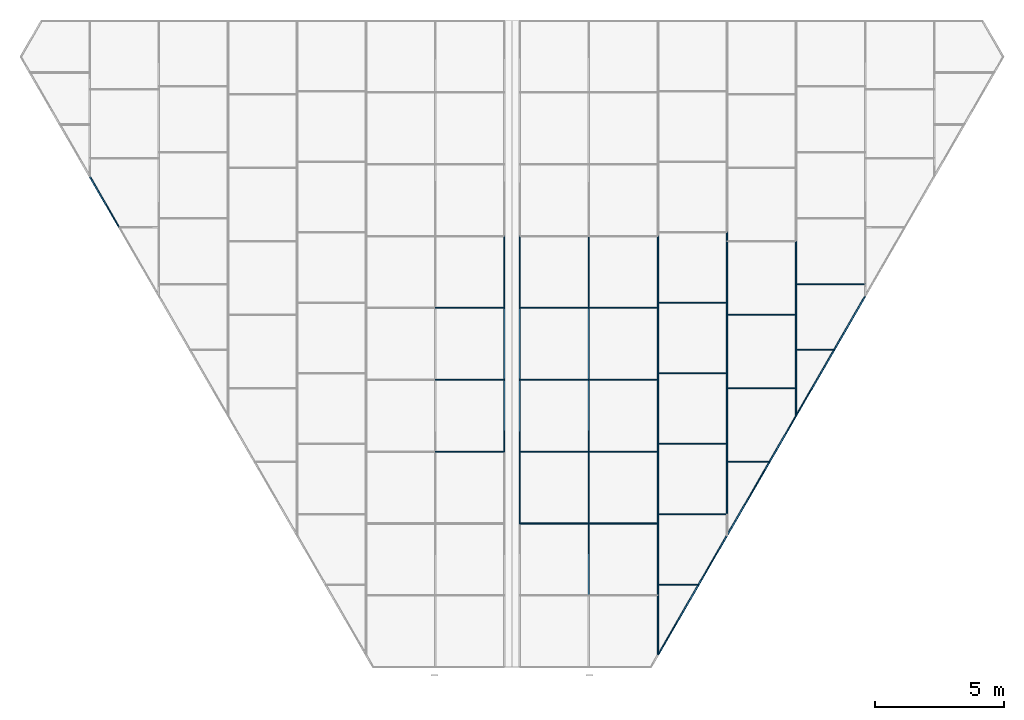
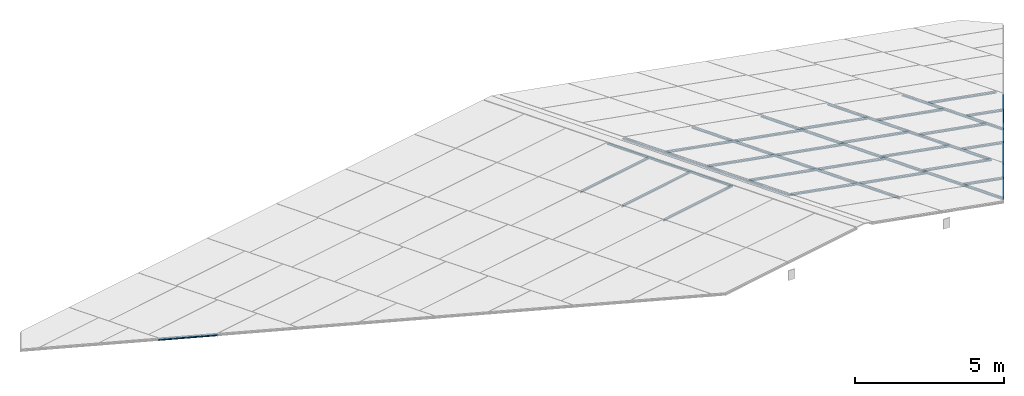
# One storey, part 2 of 12: 53 members, 28 elements without a shape of their own.
"""IFC4 building model written with IfcOpenShell, lengths in metres."""

from ifc_helpers import new_model, si_unit, direction, frame, origin, origin_2d, place, context, subcontext, project, spatial, rectangle, extrude, material, material_profile, profile_set, type_object, element, aggregate, save


model = new_model("IFC4")

# Units and contexts
model_context = context("Model", 3, precision=1e-05, world=origin(), true_north=direction((0.0, 1.0)))
body_context = subcontext(model_context, "Body", "Model", "MODEL_VIEW")
ifc_project = project(units=[si_unit("LENGTHUNIT", "METRE"), si_unit("AREAUNIT", "SQUARE_METRE"), si_unit("VOLUMEUNIT", "CUBIC_METRE"), si_unit("PLANEANGLEUNIT", "RADIAN"), si_unit("MASSUNIT", "GRAM", prefix="KILO")], contexts=[model_context])

# Site, building, storey
site_placement = place(None, origin())
site = spatial("IfcSite", under=ifc_project, at=site_placement, CompositionType="ELEMENT")
building_placement = place(site_placement, origin())
building = spatial("IfcBuilding", under=site, at=building_placement, Name="Aloe Facet Convention Tower", CompositionType="ELEMENT")
storey_placement = place(building_placement, frame((0.0, 0.0, 306.5)))
storey = spatial("IfcBuildingStorey", under=building, at=storey_placement, Name="C6", CompositionType="ELEMENT", Elevation=306.5)

# Curtain wall, member
ifc_material_1 = material(Name="Aluminium, anodised", Category="aluminium")
curtain_wall_type = type_object("IfcCurtainWallType", Name="EV-CW-LANTERN", PredefinedType="USERDEFINED", material=ifc_material_1)
curtain_wall_1_placement = place(storey_placement, origin())
curtain_wall_1 = element("IfcCurtainWall", 1, at=curtain_wall_1_placement, inside=storey, type_object=curtain_wall_type, Name="CW-RW04", ObjectType="ROOF LANTERN GLAZING", PredefinedType="USERDEFINED")
ifc_material_2 = material(Name="Aluminium, anodised", Category="aluminium")
ifc_material_profile_1 = material_profile(ifc_material_2, rectangle(XDim=0.050048828125, YDim=0.0400390625, at=origin_2d()), Name="AL 50x40")
ifc_profile_set_1 = profile_set([ifc_material_profile_1], Name="Aluminium, anodised")
member_type_1 = type_object("IfcMemberType", Name="EV-MULL-LANTERN", PredefinedType="MULLION", material=ifc_profile_set_1)
member_1_placement = place(storey_placement, frame((79.699951171875, 120.600341796875, -3.359130859375), z_axis=(0.0, -0.929144839545, 0.369715927635), x_axis=(1.0, 0.0, 0.0)))
member_1 = element("IfcMember", 2, at=member_1_placement, type_object=member_type_1, Name="Glazing bar W04.3", PredefinedType="MULLION", context=body_context, shape_type="SweptSolid", body=[
    extrude(rectangle(XDim=0.050048828125, YDim=0.0400390625, at=origin_2d()), origin(), (0.0, 0.0, 1.0), 2.991943359375),
])

curtain_wall_2_placement = place(storey_placement, origin())
curtain_wall_2 = element("IfcCurtainWall", 3, at=curtain_wall_2_placement, inside=storey, type_object=curtain_wall_type, Name="CW-RW05", ObjectType="ROOF LANTERN GLAZING", PredefinedType="USERDEFINED")
member_2_placement = place(storey_placement, frame((79.699951171875, 123.380126953125, -4.465576171875), z_axis=(0.0, -0.92910564889, 0.369814403721), x_axis=(1.0, 0.0, 0.0)))
member_2 = element("IfcMember", 4, at=member_2_placement, type_object=member_type_1, Name="Glazing bar W05.3", PredefinedType="MULLION", context=body_context, shape_type="SweptSolid", body=[
    extrude(rectangle(XDim=0.050048828125, YDim=0.0400390625, at=origin_2d()), origin(), (0.0, 0.0, 1.0), 2.991943359375),
])

curtain_wall_3_placement = place(storey_placement, origin())
curtain_wall_3 = element("IfcCurtainWall", 5, at=curtain_wall_3_placement, inside=storey, type_object=curtain_wall_type, Name="CW-RW06", ObjectType="ROOF LANTERN GLAZING", PredefinedType="USERDEFINED")
member_3_placement = place(storey_placement, frame((79.699951171875, 126.16015625, -5.57177734375), z_axis=(0.0, -0.929144839545, 0.369715927635), x_axis=(1.0, 0.0, 0.0)))
member_3 = element("IfcMember", 6, at=member_3_placement, type_object=member_type_1, Name="Glazing bar W06.3", PredefinedType="MULLION", context=body_context, shape_type="SweptSolid", body=[
    extrude(rectangle(XDim=0.050048828125, YDim=0.0400390625, at=origin_2d()), origin(), (0.0, 0.0, 1.0), 2.991943359375),
])
aggregate(curtain_wall_3, [member_3])

curtain_wall_4_placement = place(storey_placement, origin())
curtain_wall_4 = element("IfcCurtainWall", 7, at=curtain_wall_4_placement, inside=storey, type_object=curtain_wall_type, Name="CW-RW42", ObjectType="ROOF LANTERN GLAZING", PredefinedType="USERDEFINED")
member_4_placement = place(storey_placement, frame((64.79736328125, 126.502197265625, -8.390380859375), z_axis=(-0.458556978189, 0.794252685462, -0.398607788924), x_axis=(-0.866027775618, -0.499995891842, 0.0)))
member_4 = element("IfcMember", 8, at=member_4_placement, type_object=member_type_1, Name="Glazing bar W42.2", PredefinedType="MULLION", context=body_context, shape_type="SweptSolid", body=[
    extrude(rectangle(XDim=0.050048828125, YDim=0.0400390625, at=origin_2d()), origin(), (0.0, 0.0, 1.0), 2.471923828125),
])
aggregate(curtain_wall_4, [member_4])

curtain_wall_5_placement = place(storey_placement, origin())
curtain_wall_5 = element("IfcCurtainWall", 9, at=curtain_wall_5_placement, inside=storey, type_object=curtain_wall_type, Name="CW-RE02", ObjectType="ROOF LANTERN GLAZING", PredefinedType="USERDEFINED")
member_5_placement = place(storey_placement, frame((82.97265625, 115.04052734375, -1.627685546875), z_axis=(0.0, -0.929144839545, 0.369715927635), x_axis=(1.0, 0.0, 0.0)))
member_5 = element("IfcMember", 10, at=member_5_placement, type_object=member_type_1, Name="Glazing bar E02.3", PredefinedType="MULLION", context=body_context, shape_type="SweptSolid", body=[
    extrude(rectangle(XDim=0.050048828125, YDim=0.0400390625, at=origin_2d()), origin(), (0.0, 0.0, 1.0), 2.991943359375),
])

# Curtain wall, members
curtain_wall_6_placement = place(storey_placement, origin())
curtain_wall_6 = element("IfcCurtainWall", 11, at=curtain_wall_6_placement, inside=storey, type_object=curtain_wall_type, Name="CW-RE03", ObjectType="ROOF LANTERN GLAZING", PredefinedType="USERDEFINED")
member_6_placement = place(storey_placement, frame((80.300048828125, 115.04052734375, -1.146728515625), z_axis=(0.0, 0.929133684796, -0.369743959758), x_axis=(-1.0, 0.0, 0.0)))
member_6 = element("IfcMember", 12, at=member_6_placement, type_object=member_type_1, Name="Glazing bar E03.1", PredefinedType="MULLION", context=body_context, shape_type="SweptSolid", body=[
    extrude(rectangle(XDim=0.050048828125, YDim=0.0400390625, at=origin_2d()), origin(), (0.0, 0.0, 1.0), 2.99169921875),
])
member_7_placement = place(storey_placement, frame((82.97265625, 117.8203125, -2.734130859375), z_axis=(0.0, -0.92910564889, 0.369814403721), x_axis=(1.0, 0.0, 0.0)))
member_7 = element("IfcMember", 13, at=member_7_placement, type_object=member_type_1, Name="Glazing bar E03.3", PredefinedType="MULLION", context=body_context, shape_type="SweptSolid", body=[
    extrude(rectangle(XDim=0.050048828125, YDim=0.0400390625, at=origin_2d()), origin(), (0.0, 0.0, 1.0), 2.991943359375),
])

curtain_wall_7_placement = place(storey_placement, origin())
curtain_wall_7 = element("IfcCurtainWall", 14, at=curtain_wall_7_placement, inside=storey, type_object=curtain_wall_type, Name="CW-RE04", ObjectType="ROOF LANTERN GLAZING", PredefinedType="USERDEFINED")
member_8_placement = place(storey_placement, frame((80.300048828125, 117.8203125, -2.2529296875), z_axis=(0.0, 0.929144839545, -0.369715927635), x_axis=(-1.0, 0.0, 0.0)))
member_8 = element("IfcMember", 15, at=member_8_placement, type_object=member_type_1, Name="Glazing bar E04.1", PredefinedType="MULLION", context=body_context, shape_type="SweptSolid", body=[
    extrude(rectangle(XDim=0.050048828125, YDim=0.0400390625, at=origin_2d()), origin(), (0.0, 0.0, 1.0), 2.991943359375),
])
member_9_placement = place(storey_placement, frame((82.97265625, 120.600341796875, -3.84033203125), z_axis=(0.0, -0.929144839545, 0.369715927635), x_axis=(1.0, 0.0, 0.0)))
member_9 = element("IfcMember", 16, at=member_9_placement, type_object=member_type_1, Name="Glazing bar E04.3", PredefinedType="MULLION", context=body_context, shape_type="SweptSolid", body=[
    extrude(rectangle(XDim=0.050048828125, YDim=0.0400390625, at=origin_2d()), origin(), (0.0, 0.0, 1.0), 2.991943359375),
])

curtain_wall_8_placement = place(storey_placement, origin())
curtain_wall_8 = element("IfcCurtainWall", 17, at=curtain_wall_8_placement, inside=storey, type_object=curtain_wall_type, Name="CW-RE05", ObjectType="ROOF LANTERN GLAZING", PredefinedType="USERDEFINED")
member_10_placement = place(storey_placement, frame((80.300048828125, 120.600341796875, -3.359130859375), z_axis=(0.0, 0.92910564889, -0.369814403721), x_axis=(-1.0, 0.0, 0.0)))
member_10 = element("IfcMember", 18, at=member_10_placement, type_object=member_type_1, Name="Glazing bar E05.1", PredefinedType="MULLION", context=body_context, shape_type="SweptSolid", body=[
    extrude(rectangle(XDim=0.050048828125, YDim=0.0400390625, at=origin_2d()), origin(), (0.0, 0.0, 1.0), 2.991943359375),
])
member_11_placement = place(storey_placement, frame((82.97265625, 123.380126953125, -4.946533203125), z_axis=(0.0, -0.929133684796, 0.369743959758), x_axis=(1.0, 0.0, 0.0)))
member_11 = element("IfcMember", 19, at=member_11_placement, type_object=member_type_1, Name="Glazing bar E05.3", PredefinedType="MULLION", context=body_context, shape_type="SweptSolid", body=[
    extrude(rectangle(XDim=0.050048828125, YDim=0.0400390625, at=origin_2d()), origin(), (0.0, 0.0, 1.0), 2.99169921875),
])

curtain_wall_9_placement = place(storey_placement, origin())
curtain_wall_9 = element("IfcCurtainWall", 20, at=curtain_wall_9_placement, inside=storey, type_object=curtain_wall_type, Name="CW-RE06", ObjectType="ROOF LANTERN GLAZING", PredefinedType="USERDEFINED")
member_12_placement = place(storey_placement, frame((80.300048828125, 123.380126953125, -4.465576171875), z_axis=(0.0, 0.929144839545, -0.369715927635), x_axis=(-1.0, 0.0, 0.0)))
member_12 = element("IfcMember", 21, at=member_12_placement, type_object=member_type_1, Name="Glazing bar E06.1", PredefinedType="MULLION", context=body_context, shape_type="SweptSolid", body=[
    extrude(rectangle(XDim=0.050048828125, YDim=0.0400390625, at=origin_2d()), origin(), (0.0, 0.0, 1.0), 2.991943359375),
])
member_13_placement = place(storey_placement, frame((82.97265625, 126.16015625, -6.052734375), z_axis=(0.0, -0.929144839545, 0.369715927635), x_axis=(1.0, 0.0, 0.0)))
member_13 = element("IfcMember", 22, at=member_13_placement, type_object=member_type_1, Name="Glazing bar E06.3", PredefinedType="MULLION", context=body_context, shape_type="SweptSolid", body=[
    extrude(rectangle(XDim=0.050048828125, YDim=0.0400390625, at=origin_2d()), origin(), (0.0, 0.0, 1.0), 2.991943359375),
])
aggregate(curtain_wall_9, [member_12, member_13])

# Curtain wall, member
curtain_wall_10_placement = place(storey_placement, origin())
curtain_wall_10 = element("IfcCurtainWall", 23, at=curtain_wall_10_placement, inside=storey, type_object=curtain_wall_type, Name="CW-RE10", ObjectType="ROOF LANTERN GLAZING", PredefinedType="USERDEFINED")
member_14_placement = place(storey_placement, frame((85.645263671875, 112.260498046875, -1.002685546875), z_axis=(0.0, -0.929118101191, 0.36978311757), x_axis=(1.0, 0.0, 0.0)))
member_14 = element("IfcMember", 24, at=member_14_placement, type_object=member_type_1, Name="Glazing bar E10.4", PredefinedType="MULLION", context=body_context, shape_type="SweptSolid", body=[
    extrude(rectangle(XDim=0.050048828125, YDim=0.0400390625, at=origin_2d()), origin(), (0.0, 0.0, 1.0), 2.48828125),
])
aggregate(curtain_wall_10, [member_14])

curtain_wall_11_placement = place(storey_placement, origin())
curtain_wall_11 = element("IfcCurtainWall", 25, at=curtain_wall_11_placement, inside=storey, type_object=curtain_wall_type, Name="CW-RE11", ObjectType="ROOF LANTERN GLAZING", PredefinedType="USERDEFINED")
member_15_placement = place(storey_placement, frame((85.645263671875, 115.04052734375, -2.10888671875), z_axis=(0.0, -0.929144839545, 0.369715927635), x_axis=(1.0, 0.0, 0.0)))
member_15 = element("IfcMember", 26, at=member_15_placement, type_object=member_type_1, Name="Glazing bar E11.2", PredefinedType="MULLION", context=body_context, shape_type="SweptSolid", body=[
    extrude(rectangle(XDim=0.050048828125, YDim=0.0400390625, at=origin_2d()), origin(), (0.0, 0.0, 1.0), 2.991943359375),
])

curtain_wall_12_placement = place(storey_placement, origin())
curtain_wall_12 = element("IfcCurtainWall", 27, at=curtain_wall_12_placement, inside=storey, type_object=curtain_wall_type, Name="CW-RE12", ObjectType="ROOF LANTERN GLAZING", PredefinedType="USERDEFINED")
member_16_placement = place(storey_placement, frame((85.645263671875, 117.8203125, -3.215087890625), z_axis=(0.0, -0.929133684796, 0.369743959758), x_axis=(1.0, 0.0, 0.0)))
member_16 = element("IfcMember", 28, at=member_16_placement, type_object=member_type_1, Name="Glazing bar E12.2", PredefinedType="MULLION", context=body_context, shape_type="SweptSolid", body=[
    extrude(rectangle(XDim=0.050048828125, YDim=0.0400390625, at=origin_2d()), origin(), (0.0, 0.0, 1.0), 2.99169921875),
])

curtain_wall_13_placement = place(storey_placement, origin())
curtain_wall_13 = element("IfcCurtainWall", 29, at=curtain_wall_13_placement, inside=storey, type_object=curtain_wall_type, Name="CW-RE13", ObjectType="ROOF LANTERN GLAZING", PredefinedType="USERDEFINED")
member_17_placement = place(storey_placement, frame((85.645263671875, 120.600341796875, -4.3212890625), z_axis=(0.0, -0.929144839545, 0.369715927635), x_axis=(1.0, 0.0, 0.0)))
member_17 = element("IfcMember", 30, at=member_17_placement, type_object=member_type_1, Name="Glazing bar E13.2", PredefinedType="MULLION", context=body_context, shape_type="SweptSolid", body=[
    extrude(rectangle(XDim=0.050048828125, YDim=0.0400390625, at=origin_2d()), origin(), (0.0, 0.0, 1.0), 2.991943359375),
])

curtain_wall_14_placement = place(storey_placement, origin())
curtain_wall_14 = element("IfcCurtainWall", 31, at=curtain_wall_14_placement, inside=storey, type_object=curtain_wall_type, Name="CW-RE14", ObjectType="ROOF LANTERN GLAZING", PredefinedType="USERDEFINED")
member_18_placement = place(storey_placement, frame((85.645263671875, 123.380126953125, -5.427734375), z_axis=(0.0, -0.92910564889, 0.369814403721), x_axis=(1.0, 0.0, 0.0)))
member_18 = element("IfcMember", 32, at=member_18_placement, type_object=member_type_1, Name="Glazing bar E14.2", PredefinedType="MULLION", context=body_context, shape_type="SweptSolid", body=[
    extrude(rectangle(XDim=0.050048828125, YDim=0.0400390625, at=origin_2d()), origin(), (0.0, 0.0, 1.0), 2.991943359375),
])

curtain_wall_15_placement = place(storey_placement, origin())
curtain_wall_15 = element("IfcCurtainWall", 33, at=curtain_wall_15_placement, inside=storey, type_object=curtain_wall_type, Name="CW-RE15", ObjectType="ROOF LANTERN GLAZING", PredefinedType="USERDEFINED")
member_19_placement = place(storey_placement, frame((85.645263671875, 126.16015625, -6.533935546875), z_axis=(0.0, -0.929144839545, 0.369715927635), x_axis=(1.0, 0.0, 0.0)))
member_19 = element("IfcMember", 34, at=member_19_placement, type_object=member_type_1, Name="Glazing bar E15.2", PredefinedType="MULLION", context=body_context, shape_type="SweptSolid", body=[
    extrude(rectangle(XDim=0.050048828125, YDim=0.0400390625, at=origin_2d()), origin(), (0.0, 0.0, 1.0), 2.991943359375),
])
aggregate(curtain_wall_15, [member_19])

curtain_wall_16_placement = place(storey_placement, origin())
curtain_wall_16 = element("IfcCurtainWall", 35, at=curtain_wall_16_placement, inside=storey, type_object=curtain_wall_type, Name="CW-RE19", ObjectType="ROOF LANTERN GLAZING", PredefinedType="USERDEFINED")
member_20_placement = place(storey_placement, frame((87.220458984375, 112.676513671875, -1.45166015625), z_axis=(-0.45859751412, -0.794229482761, 0.39860738673), x_axis=(0.866002311072, -0.500039995618, 0.0)))
member_20 = element("IfcMember", 36, at=member_20_placement, type_object=member_type_1, Name="Glazing bar E19.2", PredefinedType="MULLION", context=body_context, shape_type="SweptSolid", body=[
    extrude(rectangle(XDim=0.050048828125, YDim=0.0400390625, at=origin_2d()), origin(), (0.0, 0.0, 1.0), 3.434814453125),
])

curtain_wall_17_placement = place(storey_placement, origin())
curtain_wall_17 = element("IfcCurtainWall", 37, at=curtain_wall_17_placement, inside=storey, type_object=curtain_wall_type, Name="CW-RE20", ObjectType="ROOF LANTERN GLAZING", PredefinedType="USERDEFINED")
member_21_placement = place(storey_placement, frame((88.318115234375, 114.577880859375, -2.40576171875), z_axis=(-0.458538224118, -0.794282849072, 0.398569257084), x_axis=(0.866044851585, -0.499966313909, 0.0)))
member_21 = element("IfcMember", 38, at=member_21_placement, type_object=member_type_1, Name="Glazing bar E20.1", PredefinedType="MULLION", context=body_context, shape_type="SweptSolid", body=[
    extrude(rectangle(XDim=0.050048828125, YDim=0.0400390625, at=origin_2d()), origin(), (0.0, 0.0, 1.0), 2.393798828125),
])

curtain_wall_18_placement = place(storey_placement, origin())
curtain_wall_18 = element("IfcCurtainWall", 39, at=curtain_wall_18_placement, inside=storey, type_object=curtain_wall_type, Name="CW-RE21", ObjectType="ROOF LANTERN GLAZING", PredefinedType="USERDEFINED")
member_22_placement = place(storey_placement, frame((88.318115234375, 118.13232421875, -3.8203125), z_axis=(0.0, -0.9291404768, 0.3697268916), x_axis=(1.0, 0.0, 0.0)))
member_22 = element("IfcMember", 40, at=member_22_placement, type_object=member_type_1, Name="Glazing bar E21.2", PredefinedType="MULLION", context=body_context, shape_type="SweptSolid", body=[
    extrude(rectangle(XDim=0.050048828125, YDim=0.0400390625, at=origin_2d()), origin(), (0.0, 0.0, 1.0), 2.935791015625),
])

curtain_wall_19_placement = place(storey_placement, origin())
curtain_wall_19 = element("IfcCurtainWall", 41, at=curtain_wall_19_placement, inside=storey, type_object=curtain_wall_type, Name="CW-RE22", ObjectType="ROOF LANTERN GLAZING", PredefinedType="USERDEFINED")
member_23_placement = place(storey_placement, frame((88.318115234375, 120.8603515625, -4.906005859375), z_axis=(0.0, -0.929123277764, 0.369770110633), x_axis=(1.0, 0.0, 0.0)))
member_23 = element("IfcMember", 42, at=member_23_placement, type_object=member_type_1, Name="Glazing bar E22.2", PredefinedType="MULLION", context=body_context, shape_type="SweptSolid", body=[
    extrude(rectangle(XDim=0.050048828125, YDim=0.0400390625, at=origin_2d()), origin(), (0.0, 0.0, 1.0), 2.93603515625),
])

curtain_wall_20_placement = place(storey_placement, origin())
curtain_wall_20 = element("IfcCurtainWall", 43, at=curtain_wall_20_placement, inside=storey, type_object=curtain_wall_type, Name="CW-RE23", ObjectType="ROOF LANTERN GLAZING", PredefinedType="USERDEFINED")
member_24_placement = place(storey_placement, frame((88.318115234375, 123.58837890625, -5.991455078125), z_axis=(0.0, -0.92915184321, 0.369698326017), x_axis=(1.0, 0.0, 0.0)))
member_24 = element("IfcMember", 44, at=member_24_placement, type_object=member_type_1, Name="Glazing bar E23.2", PredefinedType="MULLION", context=body_context, shape_type="SweptSolid", body=[
    extrude(rectangle(XDim=0.050048828125, YDim=0.0400390625, at=origin_2d()), origin(), (0.0, 0.0, 1.0), 2.93603515625),
])

curtain_wall_21_placement = place(storey_placement, origin())
curtain_wall_21 = element("IfcCurtainWall", 45, at=curtain_wall_21_placement, inside=storey, type_object=curtain_wall_type, Name="CW-RE24", ObjectType="ROOF LANTERN GLAZING", PredefinedType="USERDEFINED")
member_25_placement = place(storey_placement, frame((88.318115234375, 126.316162109375, -7.0771484375), z_axis=(0.0, -0.929111907289, 0.369798680006), x_axis=(1.0, 0.0, 0.0)))
member_25 = element("IfcMember", 46, at=member_25_placement, type_object=member_type_1, Name="Glazing bar E24.2", PredefinedType="MULLION", context=body_context, shape_type="SweptSolid", body=[
    extrude(rectangle(XDim=0.050048828125, YDim=0.0400390625, at=origin_2d()), origin(), (0.0, 0.0, 1.0), 2.935791015625),
])
aggregate(curtain_wall_21, [member_25])

curtain_wall_22_placement = place(storey_placement, origin())
curtain_wall_22 = element("IfcCurtainWall", 47, at=curtain_wall_22_placement, inside=storey, type_object=curtain_wall_type, Name="CW-RE28", ObjectType="ROOF LANTERN GLAZING", PredefinedType="USERDEFINED")
member_26_placement = place(storey_placement, frame((89.961181640625, 117.423828125, -3.834228515625), z_axis=(-0.458542254261, -0.794238790181, 0.398652411542), x_axis=(0.866030939752, -0.499990411301, 0.0)))
member_26 = element("IfcMember", 48, at=member_26_placement, type_object=member_type_1, Name="Glazing bar E28.2", PredefinedType="MULLION", context=body_context, shape_type="SweptSolid", body=[
    extrude(rectangle(XDim=0.050048828125, YDim=0.0400390625, at=origin_2d()), origin(), (0.0, 0.0, 1.0), 3.583251953125),
])

# Curtain wall, members
curtain_wall_23_placement = place(storey_placement, origin())
curtain_wall_23 = element("IfcCurtainWall", 49, at=curtain_wall_23_placement, inside=storey, type_object=curtain_wall_type, Name="CW-RE29", ObjectType="ROOF LANTERN GLAZING", PredefinedType="USERDEFINED")
member_27_placement = place(storey_placement, frame((90.99072265625, 119.20703125, -4.72900390625), z_axis=(-0.45857622573, -0.79427098713, 0.398549174128), x_axis=(0.866023676963, -0.50000299093, 0.0)))
member_27 = element("IfcMember", 50, at=member_27_placement, type_object=member_type_1, Name="Glazing bar E29.1", PredefinedType="MULLION", context=body_context, shape_type="SweptSolid", body=[
    extrude(rectangle(XDim=0.050048828125, YDim=0.0400390625, at=origin_2d()), origin(), (0.0, 0.0, 1.0), 2.2451171875),
])
member_28_placement = place(storey_placement, frame((90.99072265625, 120.269775390625, -5.152099609375), z_axis=(0.0, -0.929078968563, 0.369881427181), x_axis=(1.0, 0.0, 0.0)))
member_28 = element("IfcMember", 51, at=member_28_placement, type_object=member_type_1, Name="Glazing bar E29.3", PredefinedType="MULLION", context=body_context, shape_type="SweptSolid", body=[
    extrude(rectangle(XDim=0.050048828125, YDim=0.0400390625, at=origin_2d()), origin(), (0.0, 0.0, 1.0), 1.143798828125),
])

# Curtain wall, member
curtain_wall_24_placement = place(storey_placement, origin())
curtain_wall_24 = element("IfcCurtainWall", 52, at=curtain_wall_24_placement, inside=storey, type_object=curtain_wall_type, Name="CW-RE30", ObjectType="ROOF LANTERN GLAZING", PredefinedType="USERDEFINED")
member_29_placement = place(storey_placement, frame((90.99072265625, 123.115966796875, -6.28466796875), z_axis=(0.0, -0.929140283212, 0.369727378094), x_axis=(1.0, 0.0, 0.0)))
member_29 = element("IfcMember", 53, at=member_29_placement, type_object=member_type_1, Name="Glazing bar E30.2", PredefinedType="MULLION", context=body_context, shape_type="SweptSolid", body=[
    extrude(rectangle(XDim=0.050048828125, YDim=0.0400390625, at=origin_2d()), origin(), (0.0, 0.0, 1.0), 3.063232421875),
])

curtain_wall_25_placement = place(storey_placement, origin())
curtain_wall_25 = element("IfcCurtainWall", 54, at=curtain_wall_25_placement, inside=storey, type_object=curtain_wall_type, Name="CW-RE31", ObjectType="ROOF LANTERN GLAZING", PredefinedType="USERDEFINED")
member_30_placement = place(storey_placement, frame((90.99072265625, 125.9619140625, -7.417236328125), z_axis=(0.0, -0.929129387172, 0.369754759122), x_axis=(1.0, 0.0, 0.0)))
member_30 = element("IfcMember", 55, at=member_30_placement, type_object=member_type_1, Name="Glazing bar E31.2", PredefinedType="MULLION", context=body_context, shape_type="SweptSolid", body=[
    extrude(rectangle(XDim=0.050048828125, YDim=0.0400390625, at=origin_2d()), origin(), (0.0, 0.0, 1.0), 3.06298828125),
])
aggregate(curtain_wall_25, [member_30])

curtain_wall_26_placement = place(storey_placement, origin())
curtain_wall_26 = element("IfcCurtainWall", 56, at=curtain_wall_26_placement, inside=storey, type_object=curtain_wall_type, Name="CW-RE35", ObjectType="ROOF LANTERN GLAZING", PredefinedType="USERDEFINED")
member_31_placement = place(storey_placement, frame((92.46240234375, 121.755859375, -6.00830078125), z_axis=(-0.45858144123, -0.7942253229, 0.3986341659), x_axis=(0.866008766065, -0.500028816268, 0.0)))
member_31 = element("IfcMember", 57, at=member_31_placement, type_object=member_type_1, Name="Glazing bar E35.2", PredefinedType="MULLION", context=body_context, shape_type="SweptSolid", body=[
    extrude(rectangle(XDim=0.050048828125, YDim=0.0400390625, at=origin_2d()), origin(), (0.0, 0.0, 1.0), 3.209228515625),
])

curtain_wall_27_placement = place(storey_placement, origin())
curtain_wall_27 = element("IfcCurtainWall", 58, at=curtain_wall_27_placement, inside=storey, type_object=curtain_wall_type, Name="CW-RE36", ObjectType="ROOF LANTERN GLAZING", PredefinedType="USERDEFINED")
member_32_placement = place(storey_placement, frame((93.663330078125, 123.836181640625, -7.05224609375), z_axis=(-0.458523358976, -0.794282891205, 0.398586274239), x_axis=(0.866051881071, -0.499954137189, 0.0)))
member_32 = element("IfcMember", 59, at=member_32_placement, type_object=member_type_1, Name="Glazing bar E36.1", PredefinedType="MULLION", context=body_context, shape_type="SweptSolid", body=[
    extrude(rectangle(XDim=0.050048828125, YDim=0.0400390625, at=origin_2d()), origin(), (0.0, 0.0, 1.0), 2.619140625),
])

curtain_wall_28_placement = place(storey_placement, origin())
curtain_wall_28 = element("IfcCurtainWall", 60, at=curtain_wall_28_placement, inside=storey, type_object=curtain_wall_type, Name="CW-RW03", ObjectType="ROOF LANTERN GLAZING", PredefinedType="USERDEFINED")
ifc_material_3 = material(Name="Aluminium, anodised", Category="aluminium")
ifc_material_profile_2 = material_profile(ifc_material_3, rectangle(XDim=0.0400390625, YDim=0.050048828125, at=origin_2d()), Name="AL 40x50")
ifc_profile_set_2 = profile_set([ifc_material_profile_2], Name="Aluminium, anodised")
member_type_2 = type_object("IfcMemberType", Name="EV-TRAN-LANTERN", PredefinedType="USERDEFINED", material=ifc_profile_set_2)
member_33_placement = place(storey_placement, frame((77.02734375, 117.8203125, -2.734130859375), z_axis=(0.984174858465, 0.0, 0.177200022475), x_axis=(0.0, 1.0, 0.0)))
member_33 = element("IfcMember", 61, at=member_33_placement, type_object=member_type_2, Name="Glazing bar W03.2", ObjectType="TRANSOM", PredefinedType="USERDEFINED", context=body_context, shape_type="SweptSolid", body=[
    extrude(rectangle(XDim=0.0400390625, YDim=0.050048828125, at=origin_2d()), origin(), (0.0, 0.0, 1.0), 2.715576171875),
])
aggregate(curtain_wall_28, [member_33])

# Member
member_34_placement = place(storey_placement, frame((77.02734375, 120.600341796875, -3.84033203125), z_axis=(0.984174858465, 0.0, 0.177200022475), x_axis=(0.0, 1.0, 0.0)))
member_34 = element("IfcMember", 62, at=member_34_placement, type_object=member_type_2, Name="Glazing bar W04.2", ObjectType="TRANSOM", PredefinedType="USERDEFINED", context=body_context, shape_type="SweptSolid", body=[
    extrude(rectangle(XDim=0.0400390625, YDim=0.050048828125, at=origin_2d()), origin(), (0.0, 0.0, 1.0), 2.715576171875),
])

aggregate(curtain_wall_1, [member_34, member_1])

member_35_placement = place(storey_placement, frame((77.02734375, 123.380126953125, -4.946533203125), z_axis=(0.984190533675, 0.0, 0.177112939741), x_axis=(0.0, 1.0, 0.0)))
member_35 = element("IfcMember", 63, at=member_35_placement, type_object=member_type_2, Name="Glazing bar W05.2", ObjectType="TRANSOM", PredefinedType="USERDEFINED", context=body_context, shape_type="SweptSolid", body=[
    extrude(rectangle(XDim=0.0400390625, YDim=0.050048828125, at=origin_2d()), origin(), (0.0, 0.0, 1.0), 2.715576171875),
])

aggregate(curtain_wall_2, [member_35, member_2])

member_36_placement = place(storey_placement, frame((80.300048828125, 115.04052734375, -1.146728515625), z_axis=(0.984190533675, 0.0, -0.177112939741), x_axis=(0.0, 1.0, 0.0)))
member_36 = element("IfcMember", 64, at=member_36_placement, type_object=member_type_2, Name="Glazing bar E02.2", ObjectType="TRANSOM", PredefinedType="USERDEFINED", context=body_context, shape_type="SweptSolid", body=[
    extrude(rectangle(XDim=0.0400390625, YDim=0.050048828125, at=origin_2d()), origin(), (0.0, 0.0, 1.0), 2.715576171875),
])

aggregate(curtain_wall_5, [member_36, member_5])

member_37_placement = place(storey_placement, frame((80.300048828125, 117.8203125, -2.2529296875), z_axis=(0.984174858465, 0.0, -0.177200022475), x_axis=(0.0, 1.0, 0.0)))
member_37 = element("IfcMember", 65, at=member_37_placement, type_object=member_type_2, Name="Glazing bar E03.2", ObjectType="TRANSOM", PredefinedType="USERDEFINED", context=body_context, shape_type="SweptSolid", body=[
    extrude(rectangle(XDim=0.0400390625, YDim=0.050048828125, at=origin_2d()), origin(), (0.0, 0.0, 1.0), 2.715576171875),
])

aggregate(curtain_wall_6, [member_6, member_37, member_7])

member_38_placement = place(storey_placement, frame((80.300048828125, 120.600341796875, -3.359130859375), z_axis=(0.984174858465, 0.0, -0.177200022475), x_axis=(0.0, 1.0, 0.0)))
member_38 = element("IfcMember", 66, at=member_38_placement, type_object=member_type_2, Name="Glazing bar E04.2", ObjectType="TRANSOM", PredefinedType="USERDEFINED", context=body_context, shape_type="SweptSolid", body=[
    extrude(rectangle(XDim=0.0400390625, YDim=0.050048828125, at=origin_2d()), origin(), (0.0, 0.0, 1.0), 2.715576171875),
])

aggregate(curtain_wall_7, [member_8, member_38, member_9])

member_39_placement = place(storey_placement, frame((80.300048828125, 123.380126953125, -4.465576171875), z_axis=(0.984190533675, 0.0, -0.177112939741), x_axis=(0.0, 1.0, 0.0)))
member_39 = element("IfcMember", 67, at=member_39_placement, type_object=member_type_2, Name="Glazing bar E05.2", ObjectType="TRANSOM", PredefinedType="USERDEFINED", context=body_context, shape_type="SweptSolid", body=[
    extrude(rectangle(XDim=0.0400390625, YDim=0.050048828125, at=origin_2d()), origin(), (0.0, 0.0, 1.0), 2.715576171875),
])

aggregate(curtain_wall_8, [member_10, member_39, member_11])

member_40_placement = place(storey_placement, frame((82.97265625, 115.04052734375, -1.627685546875), z_axis=(0.984174858465, 0.0, -0.177200022475), x_axis=(0.0, 1.0, 0.0)))
member_40 = element("IfcMember", 68, at=member_40_placement, type_object=member_type_2, Name="Glazing bar E11.1", ObjectType="TRANSOM", PredefinedType="USERDEFINED", context=body_context, shape_type="SweptSolid", body=[
    extrude(rectangle(XDim=0.0400390625, YDim=0.050048828125, at=origin_2d()), origin(), (0.0, 0.0, 1.0), 2.715576171875),
])

aggregate(curtain_wall_11, [member_40, member_15])

member_41_placement = place(storey_placement, frame((82.97265625, 117.8203125, -2.734130859375), z_axis=(0.984190533675, 0.0, -0.177112939741), x_axis=(0.0, 1.0, 0.0)))
member_41 = element("IfcMember", 69, at=member_41_placement, type_object=member_type_2, Name="Glazing bar E12.1", ObjectType="TRANSOM", PredefinedType="USERDEFINED", context=body_context, shape_type="SweptSolid", body=[
    extrude(rectangle(XDim=0.0400390625, YDim=0.050048828125, at=origin_2d()), origin(), (0.0, 0.0, 1.0), 2.715576171875),
])

aggregate(curtain_wall_12, [member_41, member_16])

member_42_placement = place(storey_placement, frame((82.97265625, 120.600341796875, -3.84033203125), z_axis=(0.984190533675, 0.0, -0.177112939741), x_axis=(0.0, 1.0, 0.0)))
member_42 = element("IfcMember", 70, at=member_42_placement, type_object=member_type_2, Name="Glazing bar E13.1", ObjectType="TRANSOM", PredefinedType="USERDEFINED", context=body_context, shape_type="SweptSolid", body=[
    extrude(rectangle(XDim=0.0400390625, YDim=0.050048828125, at=origin_2d()), origin(), (0.0, 0.0, 1.0), 2.715576171875),
])

aggregate(curtain_wall_13, [member_42, member_17])

member_43_placement = place(storey_placement, frame((82.97265625, 123.380126953125, -4.946533203125), z_axis=(0.984174858465, 0.0, -0.177200022475), x_axis=(0.0, 1.0, 0.0)))
member_43 = element("IfcMember", 71, at=member_43_placement, type_object=member_type_2, Name="Glazing bar E14.1", ObjectType="TRANSOM", PredefinedType="USERDEFINED", context=body_context, shape_type="SweptSolid", body=[
    extrude(rectangle(XDim=0.0400390625, YDim=0.050048828125, at=origin_2d()), origin(), (0.0, 0.0, 1.0), 2.715576171875),
])

aggregate(curtain_wall_14, [member_43, member_18])

member_44_placement = place(storey_placement, frame((85.645263671875, 112.676513671875, -1.168212890625), z_axis=(0.984192896965, 0.0, -0.177099806785), x_axis=(0.0, 1.0, 0.0)))
member_44 = element("IfcMember", 72, at=member_44_placement, type_object=member_type_2, Name="Glazing bar E19.1", ObjectType="TRANSOM", PredefinedType="USERDEFINED", context=body_context, shape_type="SweptSolid", body=[
    extrude(rectangle(XDim=0.0400390625, YDim=0.050048828125, at=origin_2d()), origin(), (0.0, 0.0, 1.0), 1.6005859375),
])

aggregate(curtain_wall_16, [member_44, member_20])

member_45_placement = place(storey_placement, frame((85.645263671875, 115.404541015625, -2.253662109375), z_axis=(0.98417768105, 0.0, -0.177184345027), x_axis=(0.0, 1.0, 0.0)))
member_45 = element("IfcMember", 73, at=member_45_placement, type_object=member_type_2, Name="Glazing bar E20.2", ObjectType="TRANSOM", PredefinedType="USERDEFINED", context=body_context, shape_type="SweptSolid", body=[
    extrude(rectangle(XDim=0.0400390625, YDim=0.050048828125, at=origin_2d()), origin(), (0.0, 0.0, 1.0), 2.7158203125),
])

aggregate(curtain_wall_17, [member_21, member_45])

member_46_placement = place(storey_placement, frame((85.645263671875, 118.13232421875, -3.33935546875), z_axis=(0.984193353532, 0.0, -0.177097269497), x_axis=(0.0, 1.0, 0.0)))
member_46 = element("IfcMember", 74, at=member_46_placement, type_object=member_type_2, Name="Glazing bar E21.1", ObjectType="TRANSOM", PredefinedType="USERDEFINED", context=body_context, shape_type="SweptSolid", body=[
    extrude(rectangle(XDim=0.0400390625, YDim=0.050048828125, at=origin_2d()), origin(), (0.0, 0.0, 1.0), 2.7158203125),
])

aggregate(curtain_wall_18, [member_46, member_22])

member_47_placement = place(storey_placement, frame((85.645263671875, 120.8603515625, -4.4248046875), z_axis=(0.98417768105, 0.0, -0.177184345027), x_axis=(0.0, 1.0, 0.0)))
member_47 = element("IfcMember", 75, at=member_47_placement, type_object=member_type_2, Name="Glazing bar E22.1", ObjectType="TRANSOM", PredefinedType="USERDEFINED", context=body_context, shape_type="SweptSolid", body=[
    extrude(rectangle(XDim=0.0400390625, YDim=0.050048828125, at=origin_2d()), origin(), (0.0, 0.0, 1.0), 2.7158203125),
])

aggregate(curtain_wall_19, [member_47, member_23])

member_48_placement = place(storey_placement, frame((85.645263671875, 123.58837890625, -5.510498046875), z_axis=(0.984193353532, 0.0, -0.177097269497), x_axis=(0.0, 1.0, 0.0)))
member_48 = element("IfcMember", 76, at=member_48_placement, type_object=member_type_2, Name="Glazing bar E23.1", ObjectType="TRANSOM", PredefinedType="USERDEFINED", context=body_context, shape_type="SweptSolid", body=[
    extrude(rectangle(XDim=0.0400390625, YDim=0.050048828125, at=origin_2d()), origin(), (0.0, 0.0, 1.0), 2.7158203125),
])

aggregate(curtain_wall_20, [member_48, member_24])

member_49_placement = place(storey_placement, frame((88.318115234375, 117.423828125, -3.538330078125), z_axis=(0.98416802247, 0.0, -0.177237985622), x_axis=(0.0, 1.0, 0.0)))
member_49 = element("IfcMember", 77, at=member_49_placement, type_object=member_type_2, Name="Glazing bar E28.1", ObjectType="TRANSOM", PredefinedType="USERDEFINED", context=body_context, shape_type="SweptSolid", body=[
    extrude(rectangle(XDim=0.0400390625, YDim=0.050048828125, at=origin_2d()), origin(), (0.0, 0.0, 1.0), 1.66943359375),
])

aggregate(curtain_wall_22, [member_49, member_26])

member_50_placement = place(storey_placement, frame((88.318115234375, 120.269775390625, -4.6708984375), z_axis=(0.984174858465, 0.0, -0.177200022475), x_axis=(0.0, 1.0, 0.0)))
member_50 = element("IfcMember", 78, at=member_50_placement, type_object=member_type_2, Name="Glazing bar E29.2", ObjectType="TRANSOM", PredefinedType="USERDEFINED", context=body_context, shape_type="SweptSolid", body=[
    extrude(rectangle(XDim=0.0400390625, YDim=0.050048828125, at=origin_2d()), origin(), (0.0, 0.0, 1.0), 2.715576171875),
])

aggregate(curtain_wall_23, [member_27, member_50, member_28])

member_51_placement = place(storey_placement, frame((88.318115234375, 123.115966796875, -5.803466796875), z_axis=(0.984174858465, 0.0, -0.177200022475), x_axis=(0.0, 1.0, 0.0)))
member_51 = element("IfcMember", 79, at=member_51_placement, type_object=member_type_2, Name="Glazing bar E30.1", ObjectType="TRANSOM", PredefinedType="USERDEFINED", context=body_context, shape_type="SweptSolid", body=[
    extrude(rectangle(XDim=0.0400390625, YDim=0.050048828125, at=origin_2d()), origin(), (0.0, 0.0, 1.0), 2.715576171875),
])

aggregate(curtain_wall_24, [member_51, member_29])

member_52_placement = place(storey_placement, frame((90.99072265625, 121.755859375, -5.743408203125), z_axis=(0.984184462597, 0.0, -0.177146672515), x_axis=(0.0, 1.0, 0.0)))
member_52 = element("IfcMember", 80, at=member_52_placement, type_object=member_type_2, Name="Glazing bar E35.1", ObjectType="TRANSOM", PredefinedType="USERDEFINED", context=body_context, shape_type="SweptSolid", body=[
    extrude(rectangle(XDim=0.0400390625, YDim=0.050048828125, at=origin_2d()), origin(), (0.0, 0.0, 1.0), 1.495361328125),
])

aggregate(curtain_wall_26, [member_52, member_31])

member_53_placement = place(storey_placement, frame((90.99072265625, 124.3046875, -6.757568359375), z_axis=(0.984174858465, 0.0, -0.177200022475), x_axis=(0.0, 1.0, 0.0)))
member_53 = element("IfcMember", 81, at=member_53_placement, type_object=member_type_2, Name="Glazing bar E36.2", ObjectType="TRANSOM", PredefinedType="USERDEFINED", context=body_context, shape_type="SweptSolid", body=[
    extrude(rectangle(XDim=0.0400390625, YDim=0.050048828125, at=origin_2d()), origin(), (0.0, 0.0, 1.0), 2.715576171875),
])

aggregate(curtain_wall_27, [member_32, member_53])

save(model, "model.ifc")
